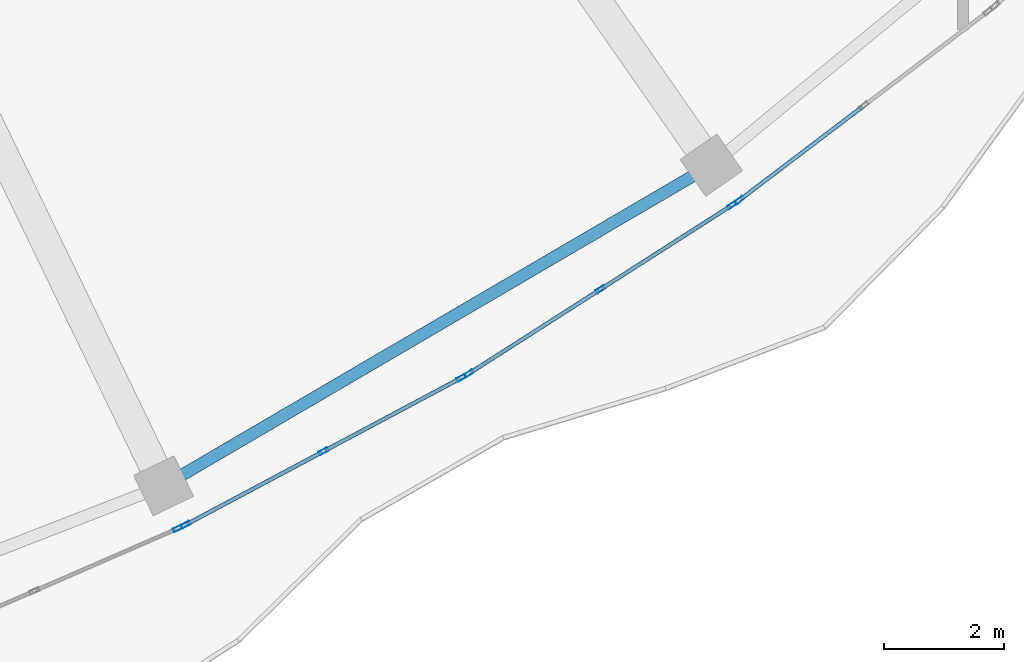
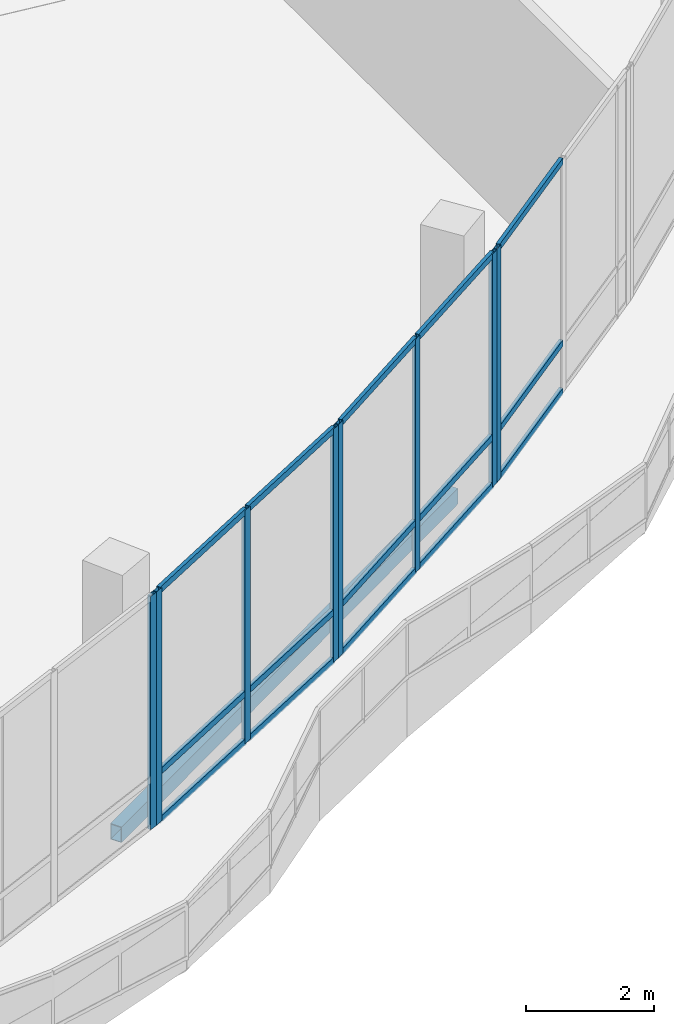
# One storey, part 48 of 168: 23 members, 1 beam, 4 elements without a shape of their own.
"""IFC4 building model written with IfcOpenShell, lengths in metres."""

from ifc_helpers import new_model, si_unit, direction, frame, origin, origin_2d, place, context, subcontext, project, spatial, hollow_rectangle, extrude, material, material_profile, profile_set, type_object, element, aggregate, save


model = new_model("IFC4")

# Units and contexts
model_context = context("Model", 3, precision=1e-05, world=origin(), true_north=direction((0.0, 1.0)))
body_context = subcontext(model_context, "Body", "Model", "MODEL_VIEW")
ifc_project = project(units=[si_unit("LENGTHUNIT", "METRE"), si_unit("AREAUNIT", "SQUARE_METRE"), si_unit("VOLUMEUNIT", "CUBIC_METRE"), si_unit("PLANEANGLEUNIT", "RADIAN"), si_unit("MASSUNIT", "GRAM", prefix="KILO")], contexts=[model_context])

# Site, building, storey
site_placement = place(None, origin())
site = spatial("IfcSite", under=ifc_project, at=site_placement, CompositionType="ELEMENT")
building_placement = place(site_placement, origin())
building = spatial("IfcBuilding", under=site, at=building_placement, Name="Selatvlak General Hospital", CompositionType="ELEMENT")
storey_placement = place(building_placement, frame((0.0, 0.0, 5.39990234375)))
storey = spatial("IfcBuildingStorey", under=building, at=storey_placement, Name="L01", CompositionType="ELEMENT", Elevation=5.39990234375)

# Beam
ifc_material_1 = material(Name="Steel S355", Category="steel")
ifc_material_profile_1 = material_profile(ifc_material_1, hollow_rectangle(XDim=0.199951171875, YDim=0.300048828125, WallThickness=0.011962890625, at=origin_2d()), Name="RHS 300x200x12")
ifc_profile_set_1 = profile_set([ifc_material_profile_1], Name="Steel S355")
beam_type = type_object("IfcBeamType", Name="BM-SP3", PredefinedType="SPANDREL", material=ifc_profile_set_1)
beam_placement = place(storey_placement, frame((85.0439453125, 19.39990234375, -0.469970703125), z_axis=(0.862997086305, 0.505208896427, 0.0), x_axis=(-0.505208896427, 0.862997086305, 0.0)))
element("IfcBeam", 1, at=beam_placement, inside=storey, type_object=beam_type, Name="Beam BMR-L01-0756", PredefinedType="SPANDREL", context=body_context, shape_type="SweptSolid", body=[
    extrude(hollow_rectangle(XDim=0.199951171875, YDim=0.300048828125, WallThickness=0.011962890625, at=origin_2d()), origin(), (0.0, 0.0, 1.0), 10.60400390625),
])

# Curtain wall, member
ifc_material_2 = material(Name="Solar-control Low-E double glazing", Category="glass")
curtain_wall_type_1 = type_object("IfcCurtainWallType", Name="CW-CW-01", PredefinedType="USERDEFINED", material=ifc_material_2)
curtain_wall_1_placement = place(storey_placement, origin())
curtain_wall_1 = element("IfcCurtainWall", 2, at=curtain_wall_1_placement, inside=storey, type_object=curtain_wall_type_1, Name="Glazed facade curtain wall CW-L01-0167", ObjectType="UNITISED CURTAIN WALL", PredefinedType="USERDEFINED")
ifc_material_3 = material(Name="Dark anodised aluminium mullion", Category="aluminium")
ifc_material_profile_2 = material_profile(ifc_material_3, hollow_rectangle(XDim=0.06494140625, YDim=0.159912109375, WallThickness=0.00390625, at=origin_2d()), Name="AL-MUL 65x160x4")
ifc_profile_set_2 = profile_set([ifc_material_profile_2], Name="Dark anodised aluminium mullion")
member_type_1 = type_object("IfcMemberType", Name="CWM-01", PredefinedType="MULLION", material=ifc_profile_set_2)
member_1_placement = place(storey_placement, frame((94.662841796875, 24.171630859375, 0.0), z_axis=(0.0, 0.0, 1.0), x_axis=(0.60458927489, -0.796537386874, 0.0)))
member_1 = element("IfcMember", 3, at=member_1_placement, type_object=member_type_1, Name="CW-01 mullion 3", PredefinedType="MULLION", context=body_context, shape_type="SweptSolid", body=[
    extrude(hollow_rectangle(XDim=0.06494140625, YDim=0.159912109375, WallThickness=0.00390625, at=origin_2d()), origin(), (0.0, 0.0, 1.0), 4.445068359375),
])

# Curtain wall, members
curtain_wall_type_2 = type_object("IfcCurtainWallType", Name="CW-CW-02", PredefinedType="USERDEFINED", material=ifc_material_2)
curtain_wall_2_placement = place(storey_placement, origin())
curtain_wall_2 = element("IfcCurtainWall", 4, at=curtain_wall_2_placement, inside=storey, type_object=curtain_wall_type_2, Name="Glazed facade curtain wall CW-L01-0168", ObjectType="UNITISED CURTAIN WALL", PredefinedType="USERDEFINED")
member_2_placement = place(storey_placement, frame((94.542724609375, 24.090576171875, 0.0), z_axis=(0.0, 0.0, 1.0), x_axis=(0.539064431086, -0.842264530381, 0.0)))
member_2 = element("IfcMember", 5, at=member_2_placement, type_object=member_type_1, Name="CW-02 mullion 1", PredefinedType="MULLION", context=body_context, shape_type="SweptSolid", body=[
    extrude(hollow_rectangle(XDim=0.06494140625, YDim=0.159912109375, WallThickness=0.00390625, at=origin_2d()), origin(), (0.0, 0.0, 1.0), 4.445068359375),
])
member_3_placement = place(storey_placement, frame((92.343505859375, 22.68310546875, 0.0), z_axis=(0.0, 0.0, 1.0), x_axis=(0.539064431086, -0.842264530381, 0.0)))
member_3 = element("IfcMember", 6, at=member_3_placement, type_object=member_type_1, Name="CW-02 mullion 2", PredefinedType="MULLION", context=body_context, shape_type="SweptSolid", body=[
    extrude(hollow_rectangle(XDim=0.06494140625, YDim=0.159912109375, WallThickness=0.00390625, at=origin_2d()), origin(), (0.0, 0.0, 1.0), 4.445068359375),
])
member_4_placement = place(storey_placement, frame((90.144287109375, 21.275634765625, 0.0), z_axis=(0.0, 0.0, 1.0), x_axis=(0.539064431086, -0.842264530381, 0.0)))
member_4 = element("IfcMember", 7, at=member_4_placement, type_object=member_type_1, Name="CW-02 mullion 3", PredefinedType="MULLION", context=body_context, shape_type="SweptSolid", body=[
    extrude(hollow_rectangle(XDim=0.06494140625, YDim=0.159912109375, WallThickness=0.00390625, at=origin_2d()), origin(), (0.0, 0.0, 1.0), 4.445068359375),
])

curtain_wall_3_placement = place(storey_placement, origin())
curtain_wall_3 = element("IfcCurtainWall", 8, at=curtain_wall_3_placement, inside=storey, type_object=curtain_wall_type_1, Name="Glazed facade curtain wall CW-L01-0169", ObjectType="UNITISED CURTAIN WALL", PredefinedType="USERDEFINED")
member_5_placement = place(storey_placement, frame((90.018310546875, 21.20361328125, 0.0), z_axis=(0.0, 0.0, 1.0), x_axis=(0.470450719515, -0.882426269162, 0.0)))
member_5 = element("IfcMember", 9, at=member_5_placement, type_object=member_type_1, Name="CW-01 mullion 1", PredefinedType="MULLION", context=body_context, shape_type="SweptSolid", body=[
    extrude(hollow_rectangle(XDim=0.06494140625, YDim=0.159912109375, WallThickness=0.00390625, at=origin_2d()), origin(), (0.0, 0.0, 1.0), 4.445068359375),
])
member_6_placement = place(storey_placement, frame((87.715576171875, 19.97607421875, 0.0), z_axis=(0.0, 0.0, 1.0), x_axis=(0.470450719515, -0.882426269162, 0.0)))
member_6 = element("IfcMember", 10, at=member_6_placement, type_object=member_type_1, Name="CW-01 mullion 2", PredefinedType="MULLION", context=body_context, shape_type="SweptSolid", body=[
    extrude(hollow_rectangle(XDim=0.06494140625, YDim=0.159912109375, WallThickness=0.00390625, at=origin_2d()), origin(), (0.0, 0.0, 1.0), 4.445068359375),
])
member_7_placement = place(storey_placement, frame((85.41259765625, 18.748291015625, 0.0), z_axis=(0.0, 0.0, 1.0), x_axis=(0.470450719515, -0.882426269162, 0.0)))
member_7 = element("IfcMember", 11, at=member_7_placement, type_object=member_type_1, Name="CW-01 mullion 3", PredefinedType="MULLION", context=body_context, shape_type="SweptSolid", body=[
    extrude(hollow_rectangle(XDim=0.06494140625, YDim=0.159912109375, WallThickness=0.00390625, at=origin_2d()), origin(), (0.0, 0.0, 1.0), 4.445068359375),
])

# Curtain wall, member
curtain_wall_4_placement = place(storey_placement, origin())
curtain_wall_4 = element("IfcCurtainWall", 12, at=curtain_wall_4_placement, inside=storey, type_object=curtain_wall_type_2, Name="Glazed facade curtain wall CW-L01-0170", ObjectType="UNITISED CURTAIN WALL", PredefinedType="USERDEFINED")
member_8_placement = place(storey_placement, frame((85.28125, 18.68701171875, 0.0), z_axis=(0.0, 0.0, 1.0), x_axis=(0.399389828763, -0.916781197822, 0.0)))
member_8 = element("IfcMember", 13, at=member_8_placement, type_object=member_type_1, Name="CW-02 mullion 1", PredefinedType="MULLION", context=body_context, shape_type="SweptSolid", body=[
    extrude(hollow_rectangle(XDim=0.06494140625, YDim=0.159912109375, WallThickness=0.00390625, at=origin_2d()), origin(), (0.0, 0.0, 1.0), 4.445068359375),
])
aggregate(curtain_wall_4, [member_8])

# Member
ifc_material_profile_3 = material_profile(ifc_material_3, hollow_rectangle(XDim=0.06494140625, YDim=0.1201171875, WallThickness=0.00390625, at=origin_2d()), Name="AL-TRN 65x120x4")
ifc_profile_set_3 = profile_set([ifc_material_profile_3], Name="Dark anodised aluminium mullion")
member_type_2 = type_object("IfcMemberType", Name="CWT-01", PredefinedType="USERDEFINED", material=ifc_profile_set_3)
member_9_placement = place(storey_placement, frame((96.717041015625, 25.73095703125, 0.03271484375), z_axis=(-0.796535238332, -0.604592105552, 0.0), x_axis=(0.604592105552, -0.796535238332, 0.0)))
member_9 = element("IfcMember", 14, at=member_9_placement, type_object=member_type_2, Name="CW-01 transom 2.1", ObjectType="TRANSOM", PredefinedType="USERDEFINED", context=body_context, shape_type="SweptSolid", body=[
    extrude(hollow_rectangle(XDim=0.06494140625, YDim=0.1201171875, WallThickness=0.00390625, at=origin_2d()), origin(), (0.0, 0.0, 1.0), 2.54638671875),
])

member_10_placement = place(storey_placement, frame((96.717041015625, 25.73095703125, 0.9501953125), z_axis=(-0.796535238332, -0.604592105552, 0.0), x_axis=(0.604592105552, -0.796535238332, 0.0)))
member_10 = element("IfcMember", 15, at=member_10_placement, type_object=member_type_2, Name="CW-01 transom 2.2", ObjectType="TRANSOM", PredefinedType="USERDEFINED", context=body_context, shape_type="SweptSolid", body=[
    extrude(hollow_rectangle(XDim=0.06494140625, YDim=0.1201171875, WallThickness=0.00390625, at=origin_2d()), origin(), (0.0, 0.0, 1.0), 2.54638671875),
])

member_11_placement = place(storey_placement, frame((96.717041015625, 25.73095703125, 4.41259765625), z_axis=(-0.796535238332, -0.604592105552, 0.0), x_axis=(0.604592105552, -0.796535238332, 0.0)))
member_11 = element("IfcMember", 16, at=member_11_placement, type_object=member_type_2, Name="CW-01 transom 2.3", ObjectType="TRANSOM", PredefinedType="USERDEFINED", context=body_context, shape_type="SweptSolid", body=[
    extrude(hollow_rectangle(XDim=0.06494140625, YDim=0.1201171875, WallThickness=0.00390625, at=origin_2d()), origin(), (0.0, 0.0, 1.0), 2.54638671875),
])

aggregate(curtain_wall_1, [member_1, member_9, member_10, member_11])

member_12_placement = place(storey_placement, frame((94.51513671875, 24.072998046875, 0.03271484375), z_axis=(-0.842233084651, -0.539113560504, 0.0), x_axis=(0.539113560504, -0.842233084651, 0.0)))
member_12 = element("IfcMember", 17, at=member_12_placement, type_object=member_type_2, Name="CW-02 transom 1.1", ObjectType="TRANSOM", PredefinedType="USERDEFINED", context=body_context, shape_type="SweptSolid", body=[
    extrude(hollow_rectangle(XDim=0.06494140625, YDim=0.1201171875, WallThickness=0.00390625, at=origin_2d()), origin(), (0.0, 0.0, 1.0), 2.5458984375),
])

member_13_placement = place(storey_placement, frame((94.51513671875, 24.072998046875, 0.9501953125), z_axis=(-0.842233084651, -0.539113560504, 0.0), x_axis=(0.539113560504, -0.842233084651, 0.0)))
member_13 = element("IfcMember", 18, at=member_13_placement, type_object=member_type_2, Name="CW-02 transom 1.2", ObjectType="TRANSOM", PredefinedType="USERDEFINED", context=body_context, shape_type="SweptSolid", body=[
    extrude(hollow_rectangle(XDim=0.06494140625, YDim=0.1201171875, WallThickness=0.00390625, at=origin_2d()), origin(), (0.0, 0.0, 1.0), 2.5458984375),
])

member_14_placement = place(storey_placement, frame((94.51513671875, 24.072998046875, 4.41259765625), z_axis=(-0.842233084651, -0.539113560504, 0.0), x_axis=(0.539113560504, -0.842233084651, 0.0)))
member_14 = element("IfcMember", 19, at=member_14_placement, type_object=member_type_2, Name="CW-02 transom 1.3", ObjectType="TRANSOM", PredefinedType="USERDEFINED", context=body_context, shape_type="SweptSolid", body=[
    extrude(hollow_rectangle(XDim=0.06494140625, YDim=0.1201171875, WallThickness=0.00390625, at=origin_2d()), origin(), (0.0, 0.0, 1.0), 2.5458984375),
])

member_15_placement = place(storey_placement, frame((92.316162109375, 22.66552734375, 0.03271484375), z_axis=(-0.842260952106, -0.539070021942, 0.0), x_axis=(0.539070021942, -0.842260952106, 0.0)))
member_15 = element("IfcMember", 20, at=member_15_placement, type_object=member_type_2, Name="CW-02 transom 2.1", ObjectType="TRANSOM", PredefinedType="USERDEFINED", context=body_context, shape_type="SweptSolid", body=[
    extrude(hollow_rectangle(XDim=0.06494140625, YDim=0.1201171875, WallThickness=0.00390625, at=origin_2d()), origin(), (0.0, 0.0, 1.0), 2.546142578125),
])

member_16_placement = place(storey_placement, frame((92.316162109375, 22.66552734375, 0.9501953125), z_axis=(-0.842260952106, -0.539070021942, 0.0), x_axis=(0.539070021942, -0.842260952106, 0.0)))
member_16 = element("IfcMember", 21, at=member_16_placement, type_object=member_type_2, Name="CW-02 transom 2.2", ObjectType="TRANSOM", PredefinedType="USERDEFINED", context=body_context, shape_type="SweptSolid", body=[
    extrude(hollow_rectangle(XDim=0.06494140625, YDim=0.1201171875, WallThickness=0.00390625, at=origin_2d()), origin(), (0.0, 0.0, 1.0), 2.546142578125),
])

member_17_placement = place(storey_placement, frame((92.316162109375, 22.66552734375, 4.41259765625), z_axis=(-0.842260952106, -0.539070021942, 0.0), x_axis=(0.539070021942, -0.842260952106, 0.0)))
member_17 = element("IfcMember", 22, at=member_17_placement, type_object=member_type_2, Name="CW-02 transom 2.3", ObjectType="TRANSOM", PredefinedType="USERDEFINED", context=body_context, shape_type="SweptSolid", body=[
    extrude(hollow_rectangle(XDim=0.06494140625, YDim=0.1201171875, WallThickness=0.00390625, at=origin_2d()), origin(), (0.0, 0.0, 1.0), 2.546142578125),
])

aggregate(curtain_wall_2, [member_2, member_3, member_4, member_12, member_13, member_14, member_15, member_16, member_17])

member_18_placement = place(storey_placement, frame((89.98974609375, 21.1884765625, 0.03271484375), z_axis=(-0.882416668919, -0.470468726286, 0.0), x_axis=(0.470468726286, -0.882416668919, 0.0)))
member_18 = element("IfcMember", 23, at=member_18_placement, type_object=member_type_2, Name="CW-01 transom 1.1", ObjectType="TRANSOM", PredefinedType="USERDEFINED", context=body_context, shape_type="SweptSolid", body=[
    extrude(hollow_rectangle(XDim=0.06494140625, YDim=0.1201171875, WallThickness=0.00390625, at=origin_2d()), origin(), (0.0, 0.0, 1.0), 2.544921875),
])

member_19_placement = place(storey_placement, frame((89.98974609375, 21.1884765625, 0.9501953125), z_axis=(-0.882416668919, -0.470468726286, 0.0), x_axis=(0.470468726286, -0.882416668919, 0.0)))
member_19 = element("IfcMember", 24, at=member_19_placement, type_object=member_type_2, Name="CW-01 transom 1.2", ObjectType="TRANSOM", PredefinedType="USERDEFINED", context=body_context, shape_type="SweptSolid", body=[
    extrude(hollow_rectangle(XDim=0.06494140625, YDim=0.1201171875, WallThickness=0.00390625, at=origin_2d()), origin(), (0.0, 0.0, 1.0), 2.544921875),
])

member_20_placement = place(storey_placement, frame((89.98974609375, 21.1884765625, 4.41259765625), z_axis=(-0.882416668919, -0.470468726286, 0.0), x_axis=(0.470468726286, -0.882416668919, 0.0)))
member_20 = element("IfcMember", 25, at=member_20_placement, type_object=member_type_2, Name="CW-01 transom 1.3", ObjectType="TRANSOM", PredefinedType="USERDEFINED", context=body_context, shape_type="SweptSolid", body=[
    extrude(hollow_rectangle(XDim=0.06494140625, YDim=0.1201171875, WallThickness=0.00390625, at=origin_2d()), origin(), (0.0, 0.0, 1.0), 2.544921875),
])

member_21_placement = place(storey_placement, frame((87.686767578125, 19.960693359375, 0.03271484375), z_axis=(-0.882435263812, -0.470433847827, 0.0), x_axis=(0.470433847827, -0.882435263812, 0.0)))
member_21 = element("IfcMember", 26, at=member_21_placement, type_object=member_type_2, Name="CW-01 transom 2.1", ObjectType="TRANSOM", PredefinedType="USERDEFINED", context=body_context, shape_type="SweptSolid", body=[
    extrude(hollow_rectangle(XDim=0.06494140625, YDim=0.1201171875, WallThickness=0.00390625, at=origin_2d()), origin(), (0.0, 0.0, 1.0), 2.54443359375),
])

member_22_placement = place(storey_placement, frame((87.686767578125, 19.960693359375, 0.9501953125), z_axis=(-0.882435263812, -0.470433847827, 0.0), x_axis=(0.470433847827, -0.882435263812, 0.0)))
member_22 = element("IfcMember", 27, at=member_22_placement, type_object=member_type_2, Name="CW-01 transom 2.2", ObjectType="TRANSOM", PredefinedType="USERDEFINED", context=body_context, shape_type="SweptSolid", body=[
    extrude(hollow_rectangle(XDim=0.06494140625, YDim=0.1201171875, WallThickness=0.00390625, at=origin_2d()), origin(), (0.0, 0.0, 1.0), 2.54443359375),
])

member_23_placement = place(storey_placement, frame((87.686767578125, 19.960693359375, 4.41259765625), z_axis=(-0.882435263812, -0.470433847827, 0.0), x_axis=(0.470433847827, -0.882435263812, 0.0)))
member_23 = element("IfcMember", 28, at=member_23_placement, type_object=member_type_2, Name="CW-01 transom 2.3", ObjectType="TRANSOM", PredefinedType="USERDEFINED", context=body_context, shape_type="SweptSolid", body=[
    extrude(hollow_rectangle(XDim=0.06494140625, YDim=0.1201171875, WallThickness=0.00390625, at=origin_2d()), origin(), (0.0, 0.0, 1.0), 2.54443359375),
])

aggregate(curtain_wall_3, [member_5, member_6, member_7, member_18, member_19, member_20, member_21, member_22, member_23])

save(model, "model.ifc")
